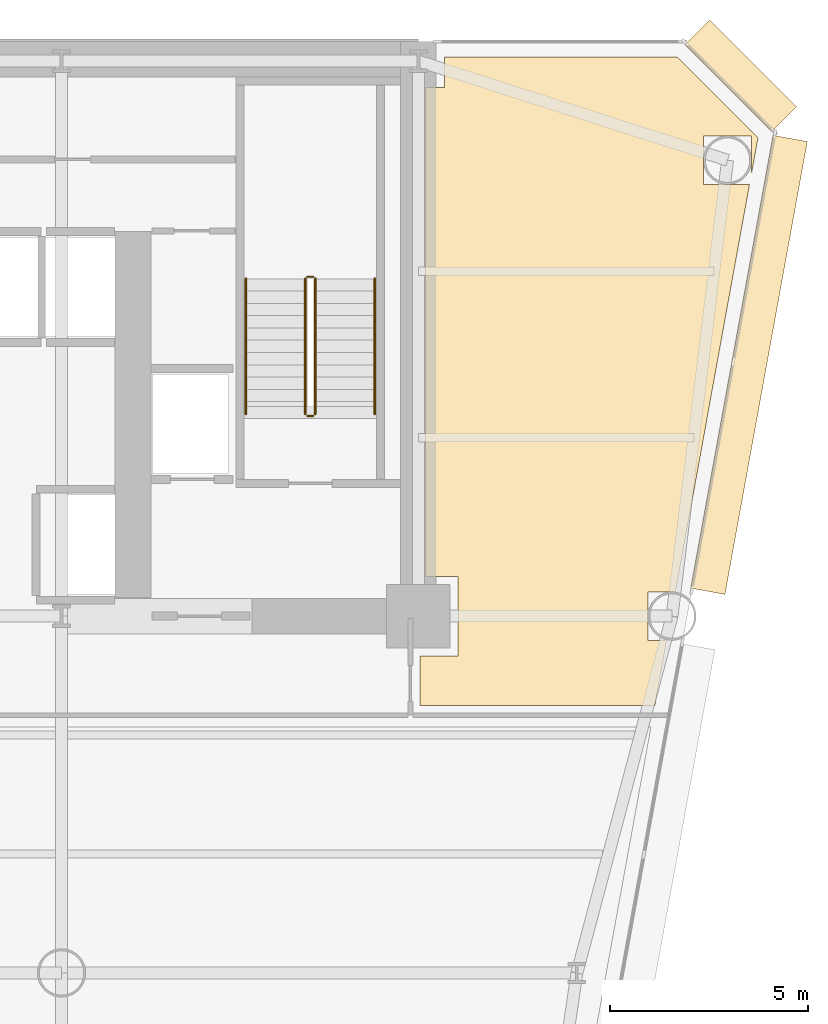
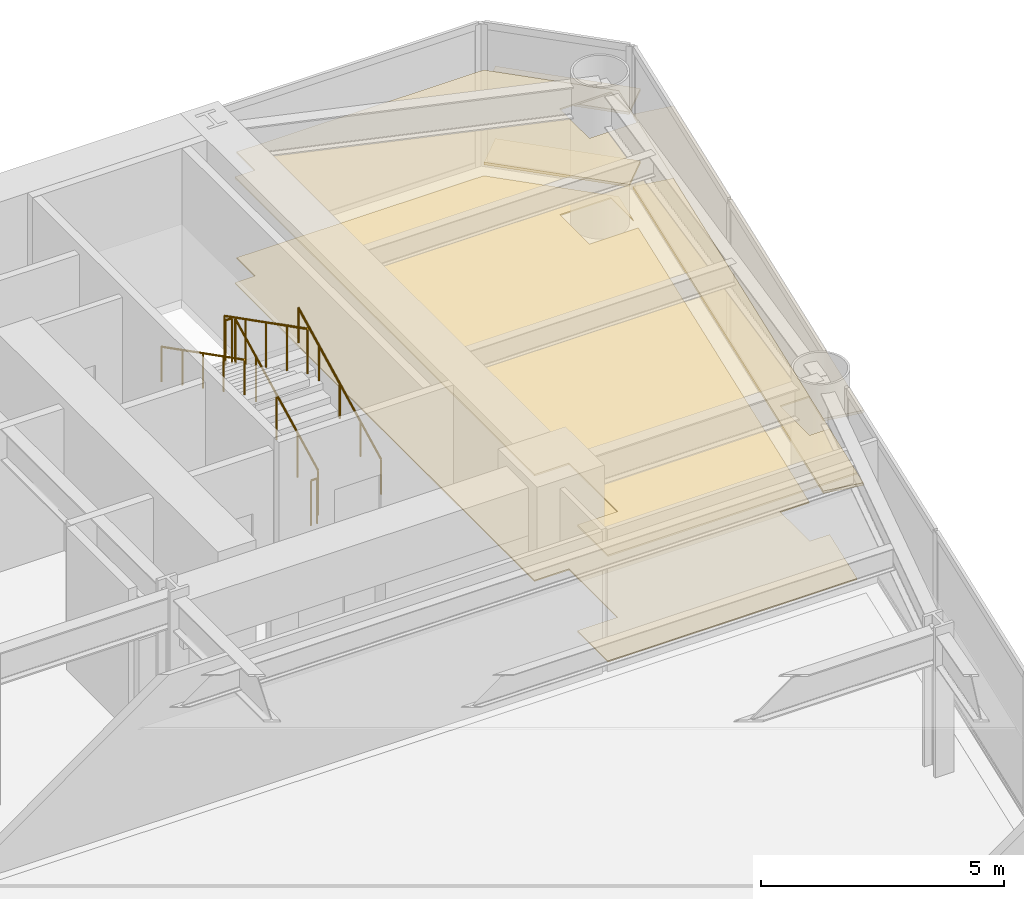
# One storey, part 14 of 14: 6 coverings, 6 railings.
"""IFC4 building model written with IfcOpenShell, lengths in metres."""

import ifcopenshell
import ifcopenshell.guid

model = None  # the IFC model being written
_history = None  # IfcOwnerHistory: only IFC2X3 demands one
_inside = {}  # id of a spatial element -> (the spatial element, [elements in it])
_under = {}  # id of a project, library or spatial element -> (it, [spatial elements below it])
_declared = {}  # id of a project -> (the project, [libraries it declares])
_typed = {}  # id of a type object -> (the type object, [elements of that type])
_made_of = {}  # id of a material, layer set ... -> (it, [elements and type objects made of it])


def new_model(schema):
    """Start an empty IFC model of exactly this schema.

    Asked for "IFC4X3", IfcOpenShell would pick the latest addendum, in which some entities
    have other attributes; the version numbers below select the first issue.
    IFC2X3 requires an IfcOwnerHistory on every rooted entity: one is made here for all.
    """
    global model, _history
    if schema == "IFC4X3":
        model = ifcopenshell.file(schema_version=(4, 3, 0, 0))
    else:
        model = ifcopenshell.file(schema=schema)
    _inside.clear()
    _under.clear()
    _declared.clear()
    _typed.clear()
    _made_of.clear()
    _history = None
    if model.schema == "IFC2X3":
        org = make("IfcOrganization", Name="unknown")
        user = make(
            "IfcPersonAndOrganization",
            ThePerson=make("IfcPerson", FamilyName="unknown"),
            TheOrganization=org,
        )
        app = make(
            "IfcApplication",
            ApplicationDeveloper=org,
            Version="unknown",
            ApplicationFullName="unknown",
            ApplicationIdentifier="unknown",
        )
        _history = make(
            "IfcOwnerHistory",
            OwningUser=user,
            OwningApplication=app,
            ChangeAction="ADDED",
            CreationDate=0,
        )
    return model


def make(cls, **values):
    """One entity of the class cls with the attributes given. An attribute that is None is left unset."""
    return model.create_entity(
        cls, **{name: value for name, value in values.items() if value is not None}
    )


def rooted(cls, **values):
    """An entity with a GlobalId (a new one), such as an element, a storey or a relation."""
    return make(cls, GlobalId=ifcopenshell.guid.new(), OwnerHistory=_history, **values)


def si_unit(unit_type, name, prefix=None):
    """IfcSIUnit, for example si_unit("LENGTHUNIT", "METRE", prefix="MILLI")."""
    return make("IfcSIUnit", UnitType=unit_type, Prefix=prefix, Name=name)


def assignment(units):
    """IfcUnitAssignment: the units of a project."""
    return None if units is None else make("IfcUnitAssignment", Units=units)


def point(xyz):
    """IfcCartesianPoint."""
    return None if xyz is None else make("IfcCartesianPoint", Coordinates=xyz)


def direction(xyz):
    """IfcDirection."""
    return None if xyz is None else make("IfcDirection", DirectionRatios=xyz)


def frame(location, z_axis=None, x_axis=None):
    """IfcAxis2Placement3D, a coordinate frame: its origin and axes. An axis left out is left unset."""
    return make(
        "IfcAxis2Placement3D",
        Location=point(location),
        Axis=direction(z_axis),
        RefDirection=direction(x_axis),
    )


def frame_2d(location, x_axis=None):
    """IfcAxis2Placement2D, a coordinate frame in the plane: its origin and x axis."""
    return make(
        "IfcAxis2Placement2D", Location=point(location), RefDirection=direction(x_axis)
    )


def origin():
    """The frame at (0, 0, 0) with its axes left unset."""
    return frame((0.0, 0.0, 0.0))


def origin_2d():
    """The frame at (0, 0) in the plane with its x axis left unset."""
    return frame_2d((0.0, 0.0))


def place(relative_to, where):
    """IfcLocalPlacement: puts the frame where relative to a parent placement (None: the world)."""
    return make(
        "IfcLocalPlacement", PlacementRelTo=relative_to, RelativePlacement=where
    )


def context(
    kind, dimensions, precision=None, world=None, true_north=None, identifier=None
):
    """IfcGeometricRepresentationContext, for example the 3D "Model" context."""
    return make(
        "IfcGeometricRepresentationContext",
        ContextIdentifier=identifier,
        ContextType=kind,
        CoordinateSpaceDimension=dimensions,
        Precision=precision,
        WorldCoordinateSystem=world,
        TrueNorth=true_north,
    )


def subcontext(parent, identifier, kind, view, scale=None):
    """IfcGeometricRepresentationSubContext, for example "Body" below "Model"."""
    return make(
        "IfcGeometricRepresentationSubContext",
        ContextIdentifier=identifier,
        ContextType=kind,
        ParentContext=parent,
        TargetScale=scale,
        TargetView=view,
    )


def project(units=None, contexts=None):
    """IfcProject with its units and contexts."""
    return rooted(
        "IfcProject",
        Name="project",
        RepresentationContexts=contexts,
        UnitsInContext=assignment(units),
    )


def spatial(cls, under=None, at=None, **own):
    """A site, building, storey or space (cls), placed at a placement, below another one or the project."""
    s = rooted(cls, ObjectPlacement=at, **own)
    if under is not None:
        _under.setdefault(under.id(), (under, []))[1].append(s)
    return s


def polyline(points):
    """IfcPolyline through the points."""
    return make("IfcPolyline", Points=[point(p) for p in points])


def profile(cls, at=None, kind="AREA", **sizes):
    """A parametric profile (cls). Its sizes go by their IFC names, for example OverallWidth=200.0."""
    return make(cls, ProfileType=kind, Position=at, **sizes)


def rectangle(**sizes):
    """IfcRectangleProfileDef."""
    return profile("IfcRectangleProfileDef", **sizes)


def circle(**sizes):
    """IfcCircleProfileDef."""
    return profile("IfcCircleProfileDef", **sizes)


def outline(outer, holes=None, kind="AREA"):
    """IfcArbitraryClosedProfileDef: a profile drawn as a closed curve; with holes, ...WithVoids."""
    if holes is None:
        return make("IfcArbitraryClosedProfileDef", ProfileType=kind, OuterCurve=outer)
    return make(
        "IfcArbitraryProfileDefWithVoids",
        ProfileType=kind,
        OuterCurve=outer,
        InnerCurves=holes,
    )


def extrude(swept, where, along, depth):
    """IfcExtrudedAreaSolid: the profile swept, set in the frame where, extruded along a direction by depth."""
    return make(
        "IfcExtrudedAreaSolid",
        SweptArea=swept,
        Position=where,
        ExtrudedDirection=direction(along),
        Depth=depth,
    )


def shape(context_of_items, identifier, shape_type, items):
    """IfcShapeRepresentation: the items that make up one representation, for example the "Body"."""
    return make(
        "IfcShapeRepresentation",
        ContextOfItems=context_of_items,
        RepresentationIdentifier=identifier,
        RepresentationType=shape_type,
        Items=items,
    )


def source(mapping_origin, context_of_items, identifier, shape_type, items):
    """IfcRepresentationMap: a shape defined once, which mapped items show again and again."""
    return make(
        "IfcRepresentationMap",
        MappingOrigin=mapping_origin,
        MappedRepresentation=shape(context_of_items, identifier, shape_type, items),
    )


def transform(
    local_origin,
    x_axis=None,
    y_axis=None,
    z_axis=None,
    scale=None,
    scale2=None,
    scale3=None,
    uniform=True,
):
    """IfcCartesianTransformationOperator3D, or its non-uniform kind. x_axis, y_axis, z_axis: its Axis1, 2, 3."""
    if uniform:
        return make(
            "IfcCartesianTransformationOperator3D",
            Axis1=direction(x_axis),
            Axis2=direction(y_axis),
            LocalOrigin=point(local_origin),
            Scale=scale,
            Axis3=direction(z_axis),
        )
    return make(
        "IfcCartesianTransformationOperator3DnonUniform",
        Axis1=direction(x_axis),
        Axis2=direction(y_axis),
        LocalOrigin=point(local_origin),
        Scale=scale,
        Axis3=direction(z_axis),
        Scale2=scale2,
        Scale3=scale3,
    )


def mapped(mapping_source, mapping_target):
    """IfcMappedItem: shows the shape of a source again, moved by a transform."""
    return make(
        "IfcMappedItem", MappingSource=mapping_source, MappingTarget=mapping_target
    )


def material(Name=None, Category=None):
    """IfcMaterial."""
    return make("IfcMaterial", Name=Name, Category=Category)


def layer(
    of_material, thickness, ventilated=None, Name=None, Category=None, Priority=None
):
    """IfcMaterialLayer: one layer of a wall or slab, of a material (None: an air gap)."""
    return make(
        "IfcMaterialLayer",
        Material=of_material,
        LayerThickness=thickness,
        IsVentilated=ventilated,
        Name=Name,
        Category=Category,
        Priority=Priority,
    )


def layer_set(layers, Name=None):
    """IfcMaterialLayerSet."""
    return make("IfcMaterialLayerSet", MaterialLayers=layers, LayerSetName=Name)


def made_of(thing, what):
    """Note that an element or type object is made of a material, layer set ...; save() writes the relation."""
    if what is not None:
        _made_of.setdefault(what.id(), (what, []))[1].append(thing)
    return thing


def type_object(cls, material=None, **own):
    """A type object (cls), such as IfcWallType, which elements share."""
    return made_of(rooted(cls, **own), material)


def element(
    cls,
    number,
    at=None,
    inside=None,
    cuts=None,
    type_object=None,
    material=None,
    context=None,
    identifier="Body",
    shape_type=None,
    held_by="IfcProductDefinitionShape",
    body=None,
    shapes=None,
    **own,
):
    """One element of the class cls, such as IfcWall. Its Tag is "e" and its number.

    at: its placement. inside: the storey or other place that contains it. cuts: it is an
    opening in that element (IfcRelVoidsElement). A single representation is given by context,
    identifier, shape_type and body (its items); several are given by shapes. held_by: the class
    of the entity that holds the representations. save() writes the other relations.
    """
    e = rooted(cls, Tag="e%d" % number, ObjectPlacement=at, **own)
    if body is not None:
        shapes = [shape(context, identifier, shape_type, body)]
    if shapes is not None:
        e.Representation = make(held_by, Representations=shapes)
    if inside is not None:
        _inside.setdefault(inside.id(), (inside, []))[1].append(e)
    if cuts is not None:
        rooted(
            "IfcRelVoidsElement", RelatingBuildingElement=cuts, RelatedOpeningElement=e
        )
    if type_object is not None:
        _typed.setdefault(type_object.id(), (type_object, []))[1].append(e)
    return made_of(e, material)


def aggregate(whole, parts):
    """IfcRelAggregates: a whole, such as a stair, and the parts it consists of."""
    return rooted("IfcRelAggregates", RelatingObject=whole, RelatedObjects=parts)


def save(model, path):
    """Write the relations noted so far, then the file.

    IfcRelAggregates (storeys below a building ...), IfcRelContainedInSpatialStructure (elements
    in a storey), IfcRelDefinesByType, IfcRelAssociatesMaterial and IfcRelDeclares: one each for
    every whole, place, type object, material and project.
    """
    for whole, parts in _under.values():
        aggregate(whole, parts)
    for where, things in _inside.values():
        rooted(
            "IfcRelContainedInSpatialStructure",
            RelatedElements=things,
            RelatingStructure=where,
        )
    for kind, things in _typed.values():
        rooted("IfcRelDefinesByType", RelatedObjects=things, RelatingType=kind)
    for what, things in _made_of.values():
        rooted("IfcRelAssociatesMaterial", RelatedObjects=things, RelatingMaterial=what)
    for by, libraries in _declared.values():
        rooted("IfcRelDeclares", RelatingContext=by, RelatedDefinitions=libraries)
    model.write(path)


model = new_model("IFC4")

# Units and contexts
model_context = context("Model", 3, precision=1e-05, world=origin(), true_north=direction((0.0, 1.0)))
body_context = subcontext(model_context, "Body", "Model", "MODEL_VIEW")
ifc_project = project(units=[si_unit("LENGTHUNIT", "METRE"), si_unit("AREAUNIT", "SQUARE_METRE"), si_unit("VOLUMEUNIT", "CUBIC_METRE"), si_unit("PLANEANGLEUNIT", "RADIAN"), si_unit("MASSUNIT", "GRAM", prefix="KILO")], contexts=[model_context])

# Site, building, storey
site_placement = place(None, origin())
site = spatial("IfcSite", under=ifc_project, at=site_placement, CompositionType="ELEMENT")
building_placement = place(site_placement, origin())
building = spatial("IfcBuilding", under=site, at=building_placement, Name="Vaeldorn Concourse Tower", CompositionType="ELEMENT")
storey_placement = place(building_placement, frame((0.0, 0.0, 37.800048828125)))
storey = spatial("IfcBuildingStorey", under=building, at=storey_placement, Name="L09", CompositionType="ELEMENT", Elevation=37.800048828125)

# Coverings
ifc_material_1 = material(Name="Acoustic Mineral Fibre Board", Category="gypsum")
ifc_layer_1 = layer(ifc_material_1, 0.0400390625)
ifc_layer_set_1 = layer_set([ifc_layer_1], Name="Acoustic Mineral Fibre Board")
covering_type_1 = type_object("IfcCoveringType", Name="COV-CEIL-ACOUSTIC", PredefinedType="CEILING", material=ifc_layer_set_1)
covering_1_placement = place(storey_placement, frame((0.0, 0.0, 2.64990234375)))
element("IfcCovering", 1, at=covering_1_placement, inside=storey, type_object=covering_type_1, Name="Suspended Acoustic Ceiling L09-4", PredefinedType="CEILING", context=body_context, shape_type="SweptSolid", body=[
    extrude(outline(polyline([(54.179931640625, 49.840087890625), (54.659912109375, 49.840087890625), (54.659912109375, 50.60009765625), (60.5341796875, 50.60009765625), (62.56884765625, 48.565185546875), (62.409423828125, 47.688232421875), (62.409423828125, 48.609619140625), (61.1904296875, 48.609619140625), (61.1904296875, 47.390380859375), (62.35546875, 47.390380859375), (60.524658203125, 37.320068359375), (60.524658203125, 37.320068359375), (60.486328125, 37.109619140625), (59.79052734375, 37.109619140625), (59.79052734375, 35.890380859375), (60.264892578125, 35.890380859375), (59.96484375, 34.239990234375), (54.0400390625, 34.239990234375), (54.0400390625, 35.5), (55.0, 35.5), (55.0, 37.5), (54.179931640625, 37.5), (54.179931640625, 49.840087890625)])), origin(), (0.0, 0.0, 1.0), 0.0400390625),
])
ifc_material_2 = material(Name="Honed Limestone Terrazzo Flooring", Category="masonry")
ifc_layer_2 = layer(ifc_material_2, 0.0400390625)
ifc_layer_set_2 = layer_set([ifc_layer_2], Name="Honed Limestone Terrazzo Flooring")
covering_type_2 = type_object("IfcCoveringType", Name="COV-FLOOR-STONE", PredefinedType="FLOORING", material=ifc_layer_set_2)
covering_2_placement = place(storey_placement, origin())
element("IfcCovering", 2, at=covering_2_placement, inside=storey, type_object=covering_type_2, Name="Floor Finish Covering L09-4", PredefinedType="FLOORING", context=body_context, shape_type="SweptSolid", body=[
    extrude(outline(polyline([(54.179931640625, 49.840087890625), (54.659912109375, 49.840087890625), (54.659912109375, 50.60009765625), (60.5341796875, 50.60009765625), (62.56884765625, 48.565185546875), (62.409423828125, 47.688232421875), (62.409423828125, 48.609619140625), (61.1904296875, 48.609619140625), (61.1904296875, 47.390380859375), (62.35546875, 47.390380859375), (60.524658203125, 37.320068359375), (60.524658203125, 37.320068359375), (60.486328125, 37.109619140625), (59.79052734375, 37.109619140625), (59.79052734375, 35.890380859375), (60.264892578125, 35.890380859375), (59.96484375, 34.239990234375), (54.0400390625, 34.239990234375), (54.0400390625, 35.5), (55.0, 35.5), (55.0, 37.5), (54.179931640625, 37.5), (54.179931640625, 49.840087890625)])), origin(), (0.0, 0.0, 1.0), 0.030029296875),
])

# Railings
ifc_material_3 = material(Name="Anodised Bronze Aluminium", Category="aluminium")
railing_type_1 = type_object("IfcRailingType", Name="RL-STAIR-GUARD", PredefinedType="GUARDRAIL", material=ifc_material_3)
railing_1_placement = place(storey_placement, frame((51.39990234375, 41.60009765625, 0.158203125)))
element("IfcRailing", 3, at=railing_1_placement, inside=storey, type_object=railing_type_1, Name="L09 ST-2 stair guard 1", PredefinedType="GUARDRAIL", context=body_context, shape_type="SweptSolid", body=[
    extrude(circle(Radius=0.02392578125, at=origin_2d()), frame((0.0, 0.0, 1.1259765625), z_axis=(0.0, 0.890555807335, 0.454873997962), x_axis=(-1.0, 0.0, 0.0)), (0.0, 0.0, 1.0), 3.828857421875),
    extrude(circle(Radius=0.02099609375, at=origin_2d()), origin(), (0.0, 0.0, 1.0), 1.101806640625),
    extrude(circle(Radius=0.02099609375, at=origin_2d()), frame((0.0, 0.8525390625, 0.435546875)), (0.0, 0.0, 1.0), 1.101806640625),
    extrude(circle(Radius=0.02099609375, at=origin_2d()), frame((0.0, 1.705078125, 0.870849609375)), (0.0, 0.0, 1.0), 1.101806640625),
    extrude(circle(Radius=0.02099609375, at=origin_2d()), frame((0.0, 2.557373046875, 1.30615234375)), (0.0, 0.0, 1.0), 1.101806640625),
    extrude(circle(Radius=0.02099609375, at=origin_2d()), frame((0.0, 3.409912109375, 1.74169921875)), (0.0, 0.0, 1.0), 1.101806640625),
])
railing_2_placement = place(storey_placement, frame((51.35009765625, 45.06005859375, 1.89990234375)))
element("IfcRailing", 4, at=railing_2_placement, inside=storey, type_object=railing_type_1, Name="L09 ST-2 stair guard 2", PredefinedType="GUARDRAIL", context=body_context, shape_type="SweptSolid", body=[
    extrude(circle(Radius=0.02392578125, at=origin_2d()), frame((0.0, 0.0, 1.1259765625), z_axis=(-1.0, 0.0, 0.0), x_axis=(0.0, -1.0, 0.0)), (0.0, 0.0, 1.0), 0.150146484375),
    extrude(circle(Radius=0.02099609375, at=origin_2d()), origin(), (0.0, 0.0, 1.0), 1.101806640625),
    extrude(circle(Radius=0.02099609375, at=origin_2d()), frame((-0.150146484375, 0.0, 0.0)), (0.0, 0.0, 1.0), 1.101806640625),
])
railing_3_placement = place(storey_placement, frame((51.14990234375, 45.010009765625, 2.058349609375)))
element("IfcRailing", 5, at=railing_3_placement, inside=storey, type_object=railing_type_1, Name="L09 ST-2 stair guard 3", PredefinedType="GUARDRAIL", context=body_context, shape_type="SweptSolid", body=[
    extrude(circle(Radius=0.02392578125, at=origin_2d()), frame((0.0, 0.0, 1.1259765625), z_axis=(0.0, -0.890555807335, 0.454873997962), x_axis=(1.0, 0.0, 0.0)), (0.0, 0.0, 1.0), 3.828857421875),
    extrude(circle(Radius=0.02099609375, at=origin_2d()), origin(), (0.0, 0.0, 1.0), 1.101806640625),
    extrude(circle(Radius=0.02099609375, at=origin_2d()), frame((0.0, -0.8525390625, 0.435546875)), (0.0, 0.0, 1.0), 1.101806640625),
    extrude(circle(Radius=0.02099609375, at=origin_2d()), frame((0.0, -1.705078125, 0.870849609375)), (0.0, 0.0, 1.0), 1.101806640625),
    extrude(circle(Radius=0.02099609375, at=origin_2d()), frame((0.0, -2.557373046875, 1.30615234375)), (0.0, 0.0, 1.0), 1.101806640625),
    extrude(circle(Radius=0.02099609375, at=origin_2d()), frame((0.0, -3.409912109375, 1.74169921875)), (0.0, 0.0, 1.0), 1.101806640625),
])
railing_4_placement = place(storey_placement, frame((51.35009765625, 41.550048828125, 0.0)))
element("IfcRailing", 6, at=railing_4_placement, inside=storey, type_object=railing_type_1, Name="L09 ST-2 stair guard 4", PredefinedType="GUARDRAIL", context=body_context, shape_type="SweptSolid", body=[
    extrude(circle(Radius=0.02392578125, at=origin_2d()), frame((0.0, 0.0, 1.1259765625), z_axis=(-1.0, 0.0, 0.0), x_axis=(0.0, -1.0, 0.0)), (0.0, 0.0, 1.0), 0.150146484375),
    extrude(circle(Radius=0.02099609375, at=origin_2d()), origin(), (0.0, 0.0, 1.0), 1.101806640625),
    extrude(circle(Radius=0.02099609375, at=origin_2d()), frame((-0.150146484375, 0.0, 0.0)), (0.0, 0.0, 1.0), 1.101806640625),
])
railing_type_2 = type_object("IfcRailingType", Name="RL-STAIR-HANDRAIL", PredefinedType="HANDRAIL", material=ifc_material_3)
railing_5_placement = place(storey_placement, frame((52.89990234375, 41.60009765625, 0.158203125)))
element("IfcRailing", 7, at=railing_5_placement, inside=storey, type_object=railing_type_2, Name="L09 ST-2 stair handrail 1", PredefinedType="HANDRAIL", context=body_context, shape_type="SweptSolid", body=[
    extrude(circle(Radius=0.02392578125, at=origin_2d()), frame((0.0, 0.0, 0.8759765625), z_axis=(0.0, 0.890555807335, 0.454873997962), x_axis=(-1.0, 0.0, 0.0)), (0.0, 0.0, 1.0), 3.828857421875),
    extrude(circle(Radius=0.02099609375, at=origin_2d()), origin(), (0.0, 0.0, 1.0), 0.851806640625),
    extrude(circle(Radius=0.02099609375, at=origin_2d()), frame((0.0, 0.8525390625, 0.435546875)), (0.0, 0.0, 1.0), 0.851806640625),
    extrude(circle(Radius=0.02099609375, at=origin_2d()), frame((0.0, 1.705078125, 0.870849609375)), (0.0, 0.0, 1.0), 0.851806640625),
    extrude(circle(Radius=0.02099609375, at=origin_2d()), frame((0.0, 2.557373046875, 1.30615234375)), (0.0, 0.0, 1.0), 0.851806640625),
    extrude(circle(Radius=0.02099609375, at=origin_2d()), frame((0.0, 3.409912109375, 1.74169921875)), (0.0, 0.0, 1.0), 0.851806640625),
])
railing_6_placement = place(storey_placement, frame((49.64990234375, 45.010009765625, 2.058349609375)))
element("IfcRailing", 8, at=railing_6_placement, inside=storey, type_object=railing_type_2, Name="L09 ST-2 stair handrail 2", PredefinedType="HANDRAIL", context=body_context, shape_type="SweptSolid", body=[
    extrude(circle(Radius=0.02392578125, at=origin_2d()), frame((0.0, 0.0, 0.8759765625), z_axis=(0.0, -0.890555807335, 0.454873997962), x_axis=(1.0, 0.0, 0.0)), (0.0, 0.0, 1.0), 3.828857421875),
    extrude(circle(Radius=0.02099609375, at=origin_2d()), origin(), (0.0, 0.0, 1.0), 0.851806640625),
    extrude(circle(Radius=0.02099609375, at=origin_2d()), frame((0.0, -0.8525390625, 0.435546875)), (0.0, 0.0, 1.0), 0.851806640625),
    extrude(circle(Radius=0.02099609375, at=origin_2d()), frame((0.0, -1.705078125, 0.870849609375)), (0.0, 0.0, 1.0), 0.851806640625),
    extrude(circle(Radius=0.02099609375, at=origin_2d()), frame((0.0, -2.557373046875, 1.30615234375)), (0.0, 0.0, 1.0), 0.851806640625),
    extrude(circle(Radius=0.02099609375, at=origin_2d()), frame((0.0, -3.409912109375, 1.74169921875)), (0.0, 0.0, 1.0), 0.851806640625),
])

# Coverings
ifc_layer_3 = layer(ifc_material_3, 0.06494140625)
ifc_layer_set_3 = layer_set([ifc_layer_3], Name="Anodised Bronze Aluminium")
covering_type_3 = type_object("IfcCoveringType", Name="SD-BRONZE-SUNSHADE", PredefinedType="USERDEFINED", material=ifc_layer_set_3)
shared_shape_1 = source(origin(), body_context, "Body", "SweptSolid", [
    extrude(rectangle(XDim=3.0927734375, YDim=0.8798828125, at=origin_2d()), origin(), (0.0, 0.0, 1.0), 0.06494140625),
])
for number, where, z_axis, x_axis, name in (
    (9, (62.1328125, 50.1328125, 0.04736328125), (0.0, 0.0, 1.0), (-0.707106781187, 0.707106781187, 0.0), "Horizontal Bronze Sunshade L09-E08.1.1"),
    (10, (62.1328125, 50.1328125, 1.867431640625), (0.0, 0.0, 1.0), (-0.707106781187, 0.707106781187, 0.0), "Horizontal Bronze Sunshade L09-E08.1.2"),
):
    element("IfcCovering", number, at=place(storey_placement, frame(where, z_axis=z_axis, x_axis=x_axis)), inside=storey, type_object=covering_type_3, Name=name, ObjectType="SUNSHADE", PredefinedType="USERDEFINED", context=body_context, shape_type="MappedRepresentation", body=[
        mapped(shared_shape_1, transform((0.0, 0.0, 0.0), scale=1.0)),
    ])
shared_shape_2 = source(origin(), body_context, "Body", "SweptSolid", [
    extrude(rectangle(XDim=11.6103515625, YDim=0.8798828125, at=origin_2d()), origin(), (0.0, 0.0, 1.0), 0.06494140625),
])
for number, where, z_axis, x_axis, name in (
    (11, (62.341064453125, 42.838134765625, 0.04736328125), (0.0, 0.0, 1.0), (0.178853730971, 0.983875674523, 0.0), "Horizontal Bronze Sunshade L09-E07.2.1"),
    (12, (62.341064453125, 42.838134765625, 1.867431640625), (0.0, 0.0, 1.0), (0.178853730971, 0.983875674523, 0.0), "Horizontal Bronze Sunshade L09-E07.2.2"),
):
    element("IfcCovering", number, at=place(storey_placement, frame(where, z_axis=z_axis, x_axis=x_axis)), inside=storey, type_object=covering_type_3, Name=name, ObjectType="SUNSHADE", PredefinedType="USERDEFINED", context=body_context, shape_type="MappedRepresentation", body=[
        mapped(shared_shape_2, transform((0.0, 0.0, 0.0), scale=1.0)),
    ])

save(model, "model.ifc")
